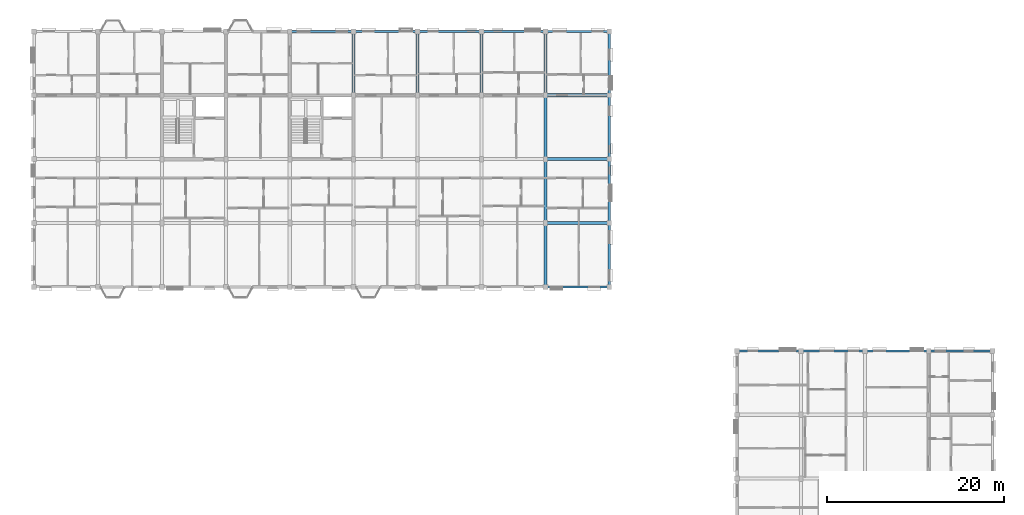
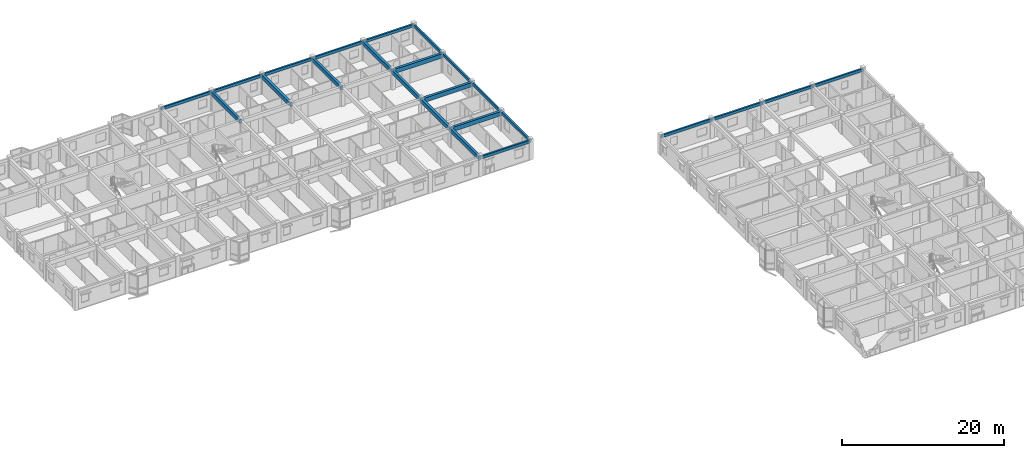
# One storey, part 45 of 79: 24 beams.
"""IFC4 building model written with IfcOpenShell, lengths in metres."""

from ifc_helpers import new_model, si_unit, direction, frame, origin, origin_2d, place, context, subcontext, project, spatial, rectangle, extrude, material, material_profile, profile_set, type_object, element, save


model = new_model("IFC4")

# Units and contexts
model_context = context("Model", 3, precision=1e-05, world=origin(), true_north=direction((0.0, 1.0)))
body_context = subcontext(model_context, "Body", "Model", "MODEL_VIEW")
ifc_project = project(units=[si_unit("LENGTHUNIT", "METRE"), si_unit("AREAUNIT", "SQUARE_METRE"), si_unit("VOLUMEUNIT", "CUBIC_METRE"), si_unit("PLANEANGLEUNIT", "RADIAN"), si_unit("MASSUNIT", "GRAM", prefix="KILO"), si_unit("THERMODYNAMICTEMPERATUREUNIT", "KELVIN"), si_unit("POWERUNIT", "WATT")], contexts=[model_context])

# Site, building, storey
site_placement = place(None, origin())
site = spatial("IfcSite", under=ifc_project, at=site_placement, CompositionType="ELEMENT")
building_placement = place(site_placement, origin())
building = spatial("IfcBuilding", under=site, at=building_placement, Name="Tavuni Mirador Residences", CompositionType="ELEMENT")
storey_placement = place(building_placement, frame((0.0, 0.0, 13.949951171875)))
storey = spatial("IfcBuildingStorey", under=building, at=storey_placement, Name="L04", CompositionType="ELEMENT", Elevation=13.949951171875)

# Beams
ifc_material = material(Name="Precast concrete C40/50", Category="concrete")
ifc_material_profile_1 = material_profile(ifc_material, rectangle(XDim=0.35009765625, YDim=0.60009765625, at=origin_2d()), Name="PC 350x600", Category="concrete")
ifc_profile_set_1 = profile_set([ifc_material_profile_1], Name="Precast concrete C40/50")
beam_type_1 = type_object("IfcBeamType", Name="BT-B600", PredefinedType="BEAM", material=ifc_profile_set_1)
for number, where, z_axis, x_axis, name in (
    (1, (46.800048828125, 165.60009765625, 2.5849609375), (0.0, 1.0, 0.0), (-1.0, 0.0, 0.0), "BMY-BLK-C-L04-05-03"),
    (2, (54.0, 165.60009765625, 2.5849609375), (0.0, 1.0, 0.0), (-1.0, 0.0, 0.0), "BMY-BLK-C-L04-06-03"),
    (3, (61.199951171875, 165.60009765625, 2.5849609375), (0.0, 1.0, 0.0), (-1.0, 0.0, 0.0), "BMY-BLK-C-L04-07-03"),
    (4, (68.39990234375, 144.0, 2.5849609375), (0.0, 1.0, 0.0), (-1.0, 0.0, 0.0), "BMY-BLK-C-L04-08-00"),
    (5, (68.39990234375, 151.199951171875, 2.5849609375), (0.0, 1.0, 0.0), (-1.0, 0.0, 0.0), "BMY-BLK-C-L04-08-01"),
):
    element("IfcBeam", number, at=place(storey_placement, frame(where, z_axis=z_axis, x_axis=x_axis)), inside=storey, type_object=beam_type_1, Name=name, PredefinedType="BEAM", context=body_context, shape_type="SweptSolid", body=[
        extrude(rectangle(XDim=0.35009765625, YDim=0.60009765625, at=origin_2d()), origin(), (0.0, 0.0, 1.0), 7.199951171875),
    ])
beam_1_placement = place(storey_placement, frame((68.39990234375, 158.39990234375, 2.5849609375), z_axis=(0.0, 1.0, 0.0), x_axis=(-1.0, 0.0, 0.0)))
element("IfcBeam", 6, at=beam_1_placement, inside=storey, type_object=beam_type_1, Name="BMY-BLK-C-L04-08-02", PredefinedType="BEAM", context=body_context, shape_type="SweptSolid", body=[
    extrude(rectangle(XDim=0.35009765625, YDim=0.60009765625, at=origin_2d()), origin(), (0.0, 0.0, 1.0), 7.2001953125),
])
beam_2_placement = place(storey_placement, frame((68.39990234375, 165.60009765625, 2.5849609375), z_axis=(0.0, 1.0, 0.0), x_axis=(-1.0, 0.0, 0.0)))
element("IfcBeam", 7, at=beam_2_placement, inside=storey, type_object=beam_type_1, Name="BMY-BLK-C-L04-08-03", PredefinedType="BEAM", context=body_context, shape_type="SweptSolid", body=[
    extrude(rectangle(XDim=0.35009765625, YDim=0.60009765625, at=origin_2d()), origin(), (0.0, 0.0, 1.0), 7.199951171875),
])
ifc_material_profile_2 = material_profile(ifc_material, rectangle(XDim=0.35009765625, YDim=0.64990234375, at=origin_2d()), Name="PC 350x650", Category="concrete")
ifc_profile_set_2 = profile_set([ifc_material_profile_2], Name="Precast concrete C40/50")
beam_type_2 = type_object("IfcBeamType", Name="BT-B650", PredefinedType="BEAM", material=ifc_profile_set_2)
for number, where, z_axis, x_axis, name in (
    (8, (68.39990234375, 151.199951171875, 2.56005859375), (1.0, 0.0, 0.0), (0.0, 1.0, 0.0), "BMX-BLK-C-L04-08-01"),
    (9, (68.39990234375, 158.39990234375, 2.56005859375), (1.0, 0.0, 0.0), (0.0, 1.0, 0.0), "BMX-BLK-C-L04-08-02"),
    (10, (68.39990234375, 165.60009765625, 2.56005859375), (1.0, 0.0, 0.0), (0.0, 1.0, 0.0), "BMX-BLK-C-L04-08-03"),
):
    element("IfcBeam", number, at=place(storey_placement, frame(where, z_axis=z_axis, x_axis=x_axis)), inside=storey, type_object=beam_type_2, Name=name, PredefinedType="BEAM", context=body_context, shape_type="SweptSolid", body=[
        extrude(rectangle(XDim=0.35009765625, YDim=0.64990234375, at=origin_2d()), origin(), (0.0, 0.0, 1.0), 7.2001953125),
    ])
ifc_material_profile_3 = material_profile(ifc_material, rectangle(XDim=0.25, YDim=0.419921875, at=origin_2d()), Name="PC 250x420", Category="concrete")
ifc_profile_set_3 = profile_set([ifc_material_profile_3], Name="Precast concrete C40/50")
beam_type_3 = type_object("IfcBeamType", Name="BT-SP420", PredefinedType="SPANDREL", material=ifc_profile_set_3)
beam_3_placement = place(storey_placement, frame((68.39990234375, 144.0, 2.675048828125), z_axis=(1.0, 0.0, 0.0), x_axis=(0.0, 1.0, 0.0)))
element("IfcBeam", 11, at=beam_3_placement, inside=storey, type_object=beam_type_3, Name="BMX-BLK-C-L04-08-00", PredefinedType="SPANDREL", context=body_context, shape_type="SweptSolid", body=[
    extrude(rectangle(XDim=0.25, YDim=0.419921875, at=origin_2d()), origin(), (0.0, 0.0, 1.0), 7.2001953125),
])
for number, where, z_axis, x_axis, name in (
    (12, (39.60009765625, 172.800048828125, 2.675048828125), (1.0, 0.0, 0.0), (0.0, 1.0, 0.0), "BMX-BLK-C-L04-04-04"),
    (13, (46.800048828125, 172.800048828125, 2.675048828125), (1.0, 0.0, 0.0), (0.0, 1.0, 0.0), "BMX-BLK-C-L04-05-04"),
    (14, (54.0, 172.800048828125, 2.675048828125), (1.0, 0.0, 0.0), (0.0, 1.0, 0.0), "BMX-BLK-C-L04-06-04"),
    (15, (61.199951171875, 172.800048828125, 2.675048828125), (1.0, 0.0, 0.0), (0.0, 1.0, 0.0), "BMX-BLK-C-L04-07-04"),
):
    element("IfcBeam", number, at=place(storey_placement, frame(where, z_axis=z_axis, x_axis=x_axis)), inside=storey, type_object=beam_type_3, Name=name, PredefinedType="SPANDREL", context=body_context, shape_type="SweptSolid", body=[
        extrude(rectangle(XDim=0.25, YDim=0.419921875, at=origin_2d()), origin(), (0.0, 0.0, 1.0), 7.199951171875),
    ])
beam_4_placement = place(storey_placement, frame((68.39990234375, 172.800048828125, 2.675048828125), z_axis=(1.0, 0.0, 0.0), x_axis=(0.0, 1.0, 0.0)))
element("IfcBeam", 16, at=beam_4_placement, inside=storey, type_object=beam_type_3, Name="BMX-BLK-C-L04-08-04", PredefinedType="SPANDREL", context=body_context, shape_type="SweptSolid", body=[
    extrude(rectangle(XDim=0.25, YDim=0.419921875, at=origin_2d()), origin(), (0.0, 0.0, 1.0), 7.2001953125),
])
for number, where, z_axis, x_axis, name in (
    (17, (75.60009765625, 144.0, 2.675048828125), (0.0, 1.0, 0.0), (-1.0, 0.0, 0.0), "BMY-BLK-C-L04-09-00"),
    (18, (75.60009765625, 151.199951171875, 2.675048828125), (0.0, 1.0, 0.0), (-1.0, 0.0, 0.0), "BMY-BLK-C-L04-09-01"),
):
    element("IfcBeam", number, at=place(storey_placement, frame(where, z_axis=z_axis, x_axis=x_axis)), inside=storey, type_object=beam_type_3, Name=name, PredefinedType="SPANDREL", context=body_context, shape_type="SweptSolid", body=[
        extrude(rectangle(XDim=0.25, YDim=0.419921875, at=origin_2d()), origin(), (0.0, 0.0, 1.0), 7.199951171875),
    ])
beam_5_placement = place(storey_placement, frame((75.60009765625, 158.39990234375, 2.675048828125), z_axis=(0.0, 1.0, 0.0), x_axis=(-1.0, 0.0, 0.0)))
element("IfcBeam", 19, at=beam_5_placement, inside=storey, type_object=beam_type_3, Name="BMY-BLK-C-L04-09-02", PredefinedType="SPANDREL", context=body_context, shape_type="SweptSolid", body=[
    extrude(rectangle(XDim=0.25, YDim=0.419921875, at=origin_2d()), origin(), (0.0, 0.0, 1.0), 7.2001953125),
])
for number, where, z_axis, x_axis, name in (
    (20, (75.60009765625, 165.60009765625, 2.675048828125), (0.0, 1.0, 0.0), (-1.0, 0.0, 0.0), "BMY-BLK-C-L04-09-03"),
    (21, (90.0, 136.800048828125, 2.679931640625), (1.0, 0.0, 0.0), (0.0, 1.0, 0.0), "BMX-BLK-D-L04-00-07"),
    (22, (97.199951171875, 136.800048828125, 2.679931640625), (1.0, 0.0, 0.0), (0.0, 1.0, 0.0), "BMX-BLK-D-L04-01-07"),
):
    element("IfcBeam", number, at=place(storey_placement, frame(where, z_axis=z_axis, x_axis=x_axis)), inside=storey, type_object=beam_type_3, Name=name, PredefinedType="SPANDREL", context=body_context, shape_type="SweptSolid", body=[
        extrude(rectangle(XDim=0.25, YDim=0.419921875, at=origin_2d()), origin(), (0.0, 0.0, 1.0), 7.199951171875),
    ])
beam_6_placement = place(storey_placement, frame((104.39990234375, 136.800048828125, 2.679931640625), z_axis=(1.0, 0.0, 0.0), x_axis=(0.0, 1.0, 0.0)))
element("IfcBeam", 23, at=beam_6_placement, inside=storey, type_object=beam_type_3, Name="BMX-BLK-D-L04-02-07", PredefinedType="SPANDREL", context=body_context, shape_type="SweptSolid", body=[
    extrude(rectangle(XDim=0.25, YDim=0.419921875, at=origin_2d()), origin(), (0.0, 0.0, 1.0), 7.2001953125),
])
beam_7_placement = place(storey_placement, frame((111.60009765625, 136.800048828125, 2.679931640625), z_axis=(1.0, 0.0, 0.0), x_axis=(0.0, 1.0, 0.0)))
element("IfcBeam", 24, at=beam_7_placement, inside=storey, type_object=beam_type_3, Name="BMX-BLK-D-L04-03-07", PredefinedType="SPANDREL", context=body_context, shape_type="SweptSolid", body=[
    extrude(rectangle(XDim=0.25, YDim=0.419921875, at=origin_2d()), origin(), (0.0, 0.0, 1.0), 7.199951171875),
])

save(model, "model.ifc")
